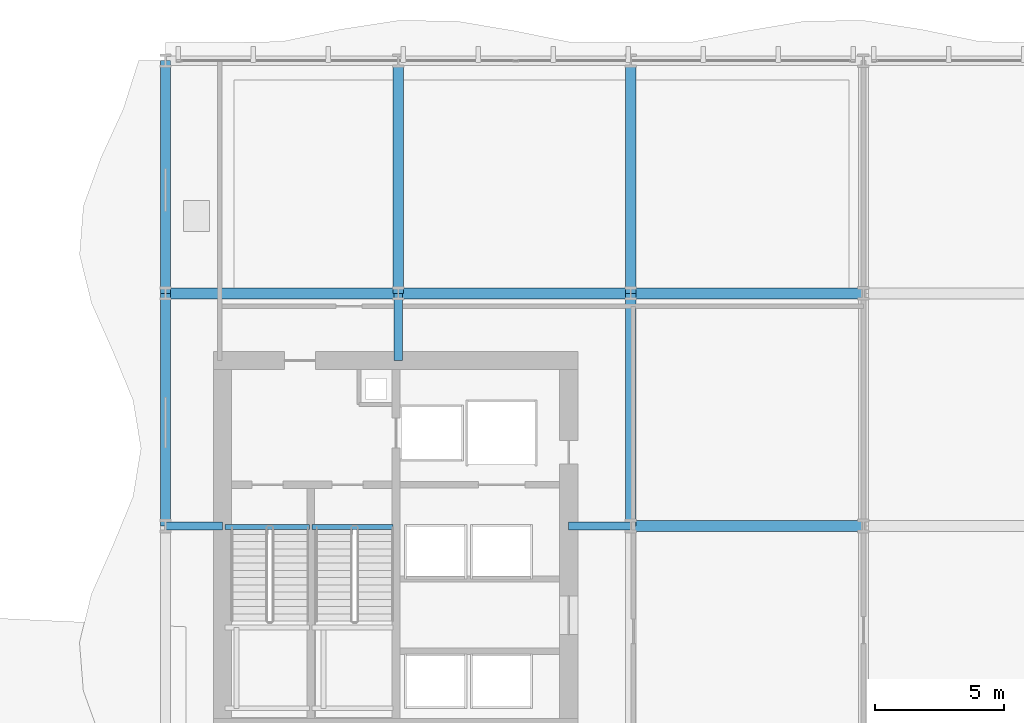
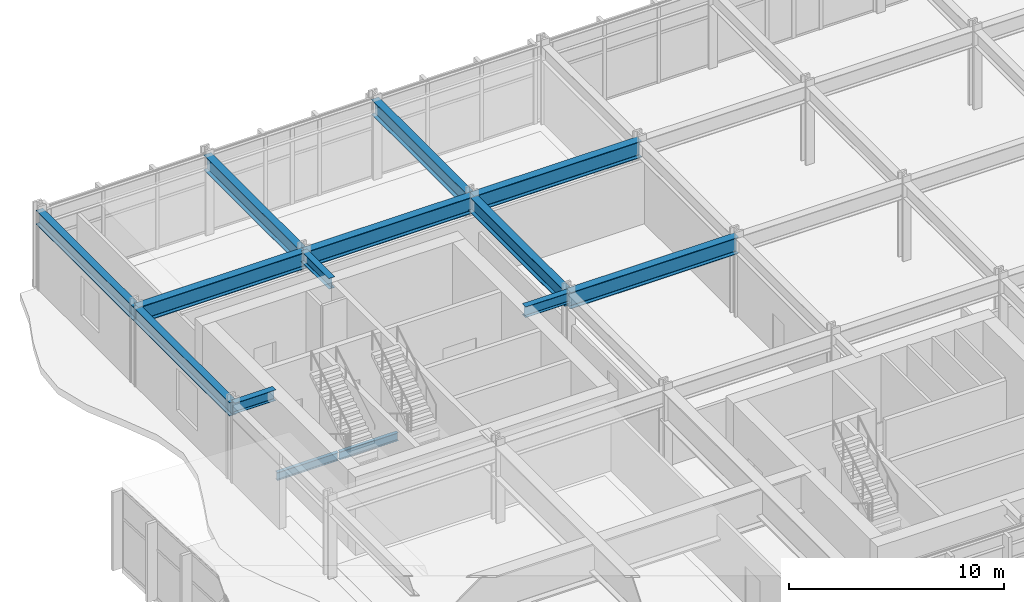
# One storey, part 14 of 31: 14 beams.
"""IFC4 building model written with IfcOpenShell, lengths in metres."""

import ifcopenshell
import ifcopenshell.guid

model = None  # the IFC model being written
_history = None  # IfcOwnerHistory: only IFC2X3 demands one
_inside = {}  # id of a spatial element -> (the spatial element, [elements in it])
_under = {}  # id of a project, library or spatial element -> (it, [spatial elements below it])
_declared = {}  # id of a project -> (the project, [libraries it declares])
_typed = {}  # id of a type object -> (the type object, [elements of that type])
_made_of = {}  # id of a material, layer set ... -> (it, [elements and type objects made of it])


def new_model(schema):
    """Start an empty IFC model of exactly this schema.

    Asked for "IFC4X3", IfcOpenShell would pick the latest addendum, in which some entities
    have other attributes; the version numbers below select the first issue.
    IFC2X3 requires an IfcOwnerHistory on every rooted entity: one is made here for all.
    """
    global model, _history
    if schema == "IFC4X3":
        model = ifcopenshell.file(schema_version=(4, 3, 0, 0))
    else:
        model = ifcopenshell.file(schema=schema)
    _inside.clear()
    _under.clear()
    _declared.clear()
    _typed.clear()
    _made_of.clear()
    _history = None
    if model.schema == "IFC2X3":
        org = make("IfcOrganization", Name="unknown")
        user = make(
            "IfcPersonAndOrganization",
            ThePerson=make("IfcPerson", FamilyName="unknown"),
            TheOrganization=org,
        )
        app = make(
            "IfcApplication",
            ApplicationDeveloper=org,
            Version="unknown",
            ApplicationFullName="unknown",
            ApplicationIdentifier="unknown",
        )
        _history = make(
            "IfcOwnerHistory",
            OwningUser=user,
            OwningApplication=app,
            ChangeAction="ADDED",
            CreationDate=0,
        )
    return model


def make(cls, **values):
    """One entity of the class cls with the attributes given. An attribute that is None is left unset."""
    return model.create_entity(
        cls, **{name: value for name, value in values.items() if value is not None}
    )


def rooted(cls, **values):
    """An entity with a GlobalId (a new one), such as an element, a storey or a relation."""
    return make(cls, GlobalId=ifcopenshell.guid.new(), OwnerHistory=_history, **values)


def si_unit(unit_type, name, prefix=None):
    """IfcSIUnit, for example si_unit("LENGTHUNIT", "METRE", prefix="MILLI")."""
    return make("IfcSIUnit", UnitType=unit_type, Prefix=prefix, Name=name)


def assignment(units):
    """IfcUnitAssignment: the units of a project."""
    return None if units is None else make("IfcUnitAssignment", Units=units)


def point(xyz):
    """IfcCartesianPoint."""
    return None if xyz is None else make("IfcCartesianPoint", Coordinates=xyz)


def direction(xyz):
    """IfcDirection."""
    return None if xyz is None else make("IfcDirection", DirectionRatios=xyz)


def frame(location, z_axis=None, x_axis=None):
    """IfcAxis2Placement3D, a coordinate frame: its origin and axes. An axis left out is left unset."""
    return make(
        "IfcAxis2Placement3D",
        Location=point(location),
        Axis=direction(z_axis),
        RefDirection=direction(x_axis),
    )


def frame_2d(location, x_axis=None):
    """IfcAxis2Placement2D, a coordinate frame in the plane: its origin and x axis."""
    return make(
        "IfcAxis2Placement2D", Location=point(location), RefDirection=direction(x_axis)
    )


def origin():
    """The frame at (0, 0, 0) with its axes left unset."""
    return frame((0.0, 0.0, 0.0))


def origin_2d():
    """The frame at (0, 0) in the plane with its x axis left unset."""
    return frame_2d((0.0, 0.0))


def place(relative_to, where):
    """IfcLocalPlacement: puts the frame where relative to a parent placement (None: the world)."""
    return make(
        "IfcLocalPlacement", PlacementRelTo=relative_to, RelativePlacement=where
    )


def context(
    kind, dimensions, precision=None, world=None, true_north=None, identifier=None
):
    """IfcGeometricRepresentationContext, for example the 3D "Model" context."""
    return make(
        "IfcGeometricRepresentationContext",
        ContextIdentifier=identifier,
        ContextType=kind,
        CoordinateSpaceDimension=dimensions,
        Precision=precision,
        WorldCoordinateSystem=world,
        TrueNorth=true_north,
    )


def subcontext(parent, identifier, kind, view, scale=None):
    """IfcGeometricRepresentationSubContext, for example "Body" below "Model"."""
    return make(
        "IfcGeometricRepresentationSubContext",
        ContextIdentifier=identifier,
        ContextType=kind,
        ParentContext=parent,
        TargetScale=scale,
        TargetView=view,
    )


def project(units=None, contexts=None):
    """IfcProject with its units and contexts."""
    return rooted(
        "IfcProject",
        Name="project",
        RepresentationContexts=contexts,
        UnitsInContext=assignment(units),
    )


def spatial(cls, under=None, at=None, **own):
    """A site, building, storey or space (cls), placed at a placement, below another one or the project."""
    s = rooted(cls, ObjectPlacement=at, **own)
    if under is not None:
        _under.setdefault(under.id(), (under, []))[1].append(s)
    return s


def profile(cls, at=None, kind="AREA", **sizes):
    """A parametric profile (cls). Its sizes go by their IFC names, for example OverallWidth=200.0."""
    return make(cls, ProfileType=kind, Position=at, **sizes)


def i_section(**sizes):
    """IfcIShapeProfileDef."""
    return profile("IfcIShapeProfileDef", **sizes)


def extrude(swept, where, along, depth):
    """IfcExtrudedAreaSolid: the profile swept, set in the frame where, extruded along a direction by depth."""
    return make(
        "IfcExtrudedAreaSolid",
        SweptArea=swept,
        Position=where,
        ExtrudedDirection=direction(along),
        Depth=depth,
    )


def shape(context_of_items, identifier, shape_type, items):
    """IfcShapeRepresentation: the items that make up one representation, for example the "Body"."""
    return make(
        "IfcShapeRepresentation",
        ContextOfItems=context_of_items,
        RepresentationIdentifier=identifier,
        RepresentationType=shape_type,
        Items=items,
    )


def material(Name=None, Category=None):
    """IfcMaterial."""
    return make("IfcMaterial", Name=Name, Category=Category)


def material_profile(
    of_material, cross_section, Name=None, Category=None, Priority=None
):
    """IfcMaterialProfile: a cross section and its material."""
    return make(
        "IfcMaterialProfile",
        Name=Name,
        Material=of_material,
        Profile=cross_section,
        Priority=Priority,
        Category=Category,
    )


def profile_set(profiles, Name=None, composite=None):
    """IfcMaterialProfileSet."""
    return make(
        "IfcMaterialProfileSet",
        Name=Name,
        MaterialProfiles=profiles,
        CompositeProfile=composite,
    )


def made_of(thing, what):
    """Note that an element or type object is made of a material, layer set ...; save() writes the relation."""
    if what is not None:
        _made_of.setdefault(what.id(), (what, []))[1].append(thing)
    return thing


def type_object(cls, material=None, **own):
    """A type object (cls), such as IfcWallType, which elements share."""
    return made_of(rooted(cls, **own), material)


def element(
    cls,
    number,
    at=None,
    inside=None,
    cuts=None,
    type_object=None,
    material=None,
    context=None,
    identifier="Body",
    shape_type=None,
    held_by="IfcProductDefinitionShape",
    body=None,
    shapes=None,
    **own,
):
    """One element of the class cls, such as IfcWall. Its Tag is "e" and its number.

    at: its placement. inside: the storey or other place that contains it. cuts: it is an
    opening in that element (IfcRelVoidsElement). A single representation is given by context,
    identifier, shape_type and body (its items); several are given by shapes. held_by: the class
    of the entity that holds the representations. save() writes the other relations.
    """
    e = rooted(cls, Tag="e%d" % number, ObjectPlacement=at, **own)
    if body is not None:
        shapes = [shape(context, identifier, shape_type, body)]
    if shapes is not None:
        e.Representation = make(held_by, Representations=shapes)
    if inside is not None:
        _inside.setdefault(inside.id(), (inside, []))[1].append(e)
    if cuts is not None:
        rooted(
            "IfcRelVoidsElement", RelatingBuildingElement=cuts, RelatedOpeningElement=e
        )
    if type_object is not None:
        _typed.setdefault(type_object.id(), (type_object, []))[1].append(e)
    return made_of(e, material)


def aggregate(whole, parts):
    """IfcRelAggregates: a whole, such as a stair, and the parts it consists of."""
    return rooted("IfcRelAggregates", RelatingObject=whole, RelatedObjects=parts)


def save(model, path):
    """Write the relations noted so far, then the file.

    IfcRelAggregates (storeys below a building ...), IfcRelContainedInSpatialStructure (elements
    in a storey), IfcRelDefinesByType, IfcRelAssociatesMaterial and IfcRelDeclares: one each for
    every whole, place, type object, material and project.
    """
    for whole, parts in _under.values():
        aggregate(whole, parts)
    for where, things in _inside.values():
        rooted(
            "IfcRelContainedInSpatialStructure",
            RelatedElements=things,
            RelatingStructure=where,
        )
    for kind, things in _typed.values():
        rooted("IfcRelDefinesByType", RelatedObjects=things, RelatingType=kind)
    for what, things in _made_of.values():
        rooted("IfcRelAssociatesMaterial", RelatedObjects=things, RelatingMaterial=what)
    for by, libraries in _declared.values():
        rooted("IfcRelDeclares", RelatingContext=by, RelatedDefinitions=libraries)
    model.write(path)


model = new_model("IFC4")

# Units and contexts
model_context = context("Model", 3, precision=1e-05, world=origin(), true_north=direction((0.0, 1.0)))
body_context = subcontext(model_context, "Body", "Model", "MODEL_VIEW")
ifc_project = project(units=[si_unit("LENGTHUNIT", "METRE"), si_unit("AREAUNIT", "SQUARE_METRE"), si_unit("VOLUMEUNIT", "CUBIC_METRE"), si_unit("PLANEANGLEUNIT", "RADIAN"), si_unit("MASSUNIT", "GRAM", prefix="KILO")], contexts=[model_context])

# Site, building, storey
site_placement = place(None, origin())
site = spatial("IfcSite", under=ifc_project, at=site_placement, CompositionType="ELEMENT")
building_placement = place(site_placement, origin())
building = spatial("IfcBuilding", under=site, at=building_placement, Name="Solvaryn Broadcast Tower", CompositionType="ELEMENT")
storey_placement = place(building_placement, frame((0.0, 0.0, 26.0)))
storey = spatial("IfcBuildingStorey", under=building, at=storey_placement, Name="L05", CompositionType="ELEMENT", Elevation=26.0)

# Beams
ifc_material_1 = material(Name="Steel ASTM A992 Grade 50", Category="steel")
ifc_material_profile_1 = material_profile(ifc_material_1, i_section(OverallWidth=0.323974609375, OverallDepth=0.611083984375, WebThickness=0.0126953125, FlangeThickness=0.01904296875, FilletRadius=0.014892578125, at=origin_2d()))
ifc_profile_set_1 = profile_set([ifc_material_profile_1], Name="Steel ASTM A992 Grade 50")
beam_type_1 = type_object("IfcBeamType", Name="BM-B1-W24X104", PredefinedType="BEAM", material=ifc_profile_set_1)
beam_1_placement = place(storey_placement, frame((9.0, 36.0, 4.134521484375), z_axis=(1.0, 0.0, 0.0), x_axis=(0.0, 1.0, 0.0)))
element("IfcBeam", 1, at=beam_1_placement, inside=storey, type_object=beam_type_1, Name="L05 Core Tie Beam CTW1", PredefinedType="BEAM", context=body_context, shape_type="SweptSolid", body=[
    extrude(i_section(OverallWidth=0.323974609375, OverallDepth=0.611083984375, WebThickness=0.0126953125, FlangeThickness=0.01904296875, FilletRadius=0.014892578125, at=origin_2d()), origin(), (0.0, 0.0, 1.0), 2.199951171875),
])
beam_2_placement = place(storey_placement, frame((24.60009765625, 36.0, 4.134521484375), z_axis=(1.0, 0.0, 0.0), x_axis=(0.0, 1.0, 0.0)))
element("IfcBeam", 2, at=beam_2_placement, inside=storey, type_object=beam_type_1, Name="L05 Core Tie Beam CTW2", PredefinedType="BEAM", context=body_context, shape_type="SweptSolid", body=[
    extrude(i_section(OverallWidth=0.323974609375, OverallDepth=0.611083984375, WebThickness=0.0126953125, FlangeThickness=0.01904296875, FilletRadius=0.014892578125, at=origin_2d()), origin(), (0.0, 0.0, 1.0), 2.39990234375),
])
beam_3_placement = place(storey_placement, frame((18.0, 42.39990234375, 4.134521484375), z_axis=(0.0, 1.0, 0.0), x_axis=(-1.0, 0.0, 0.0)))
element("IfcBeam", 3, at=beam_3_placement, inside=storey, type_object=beam_type_1, Name="L05 Core Tie Beam CTW3", PredefinedType="BEAM", context=body_context, shape_type="SweptSolid", body=[
    extrude(i_section(OverallWidth=0.323974609375, OverallDepth=0.611083984375, WebThickness=0.0126953125, FlangeThickness=0.01904296875, FilletRadius=0.014892578125, at=origin_2d()), origin(), (0.0, 0.0, 1.0), 2.60009765625),
])
ifc_material_2 = material(Name="Steel ASTM A992 Grade 50", Category="steel")
ifc_material_profile_2 = material_profile(ifc_material_2, i_section(OverallWidth=0.18994140625, OverallDepth=0.45703125, WebThickness=0.009033203125, FlangeThickness=0.014404296875, FilletRadius=0.011962890625, at=origin_2d()))
ifc_profile_set_2 = profile_set([ifc_material_profile_2], Name="Steel ASTM A992 Grade 50")
beam_type_2 = type_object("IfcBeamType", Name="BM-B4-W18X50", PredefinedType="BEAM", material=ifc_profile_set_2)
beam_4_placement = place(storey_placement, frame((11.300048828125, 35.9599609375, -0.548583984375), z_axis=(1.0, 0.0, 0.0), x_axis=(0.0, 1.0, 0.0)))
element("IfcBeam", 4, at=beam_4_placement, inside=storey, type_object=beam_type_2, Name="L05 ST1 Stair Well Trimmer Beam", PredefinedType="BEAM", context=body_context, shape_type="SweptSolid", body=[
    extrude(i_section(OverallWidth=0.18994140625, OverallDepth=0.45703125, WebThickness=0.009033203125, FlangeThickness=0.014404296875, FilletRadius=0.011962890625, at=origin_2d()), origin(), (0.0, 0.0, 1.0), 3.280029296875),
])
beam_5_placement = place(storey_placement, frame((14.659912109375, 35.9599609375, -0.548583984375), z_axis=(1.0, 0.0, 0.0), x_axis=(0.0, 1.0, 0.0)))
element("IfcBeam", 5, at=beam_5_placement, inside=storey, type_object=beam_type_2, Name="L05 ST2 Stair Well Trimmer Beam", PredefinedType="BEAM", context=body_context, shape_type="SweptSolid", body=[
    extrude(i_section(OverallWidth=0.18994140625, OverallDepth=0.45703125, WebThickness=0.009033203125, FlangeThickness=0.014404296875, FilletRadius=0.011962890625, at=origin_2d()), origin(), (0.0, 0.0, 1.0), 3.14013671875),
])
ifc_material_3 = material(Name="Steel ASTM A992 Grade 50", Category="steel")
ifc_material_profile_3 = material_profile(ifc_material_3, i_section(OverallWidth=0.41796875, OverallDepth=0.927001953125, WebThickness=0.019287109375, FlangeThickness=0.031982421875, FilletRadius=0.02392578125, at=origin_2d()))
ifc_profile_set_3 = profile_set([ifc_material_profile_3], Name="Steel ASTM A992 Grade 50")
beam_type_3 = type_object("IfcBeamType", Name="BM-G2-W36X231", PredefinedType="BEAM", material=ifc_profile_set_3)
for number, where, z_axis, x_axis, name in (
    (6, (27.0, 36.0, 3.9765625), (1.0, 0.0, 0.0), (0.0, 1.0, 0.0), "L05 Primary Beam X (27-36 @ Y=36)"),
    (7, (9.0, 45.0, 3.9765625), (1.0, 0.0, 0.0), (0.0, 1.0, 0.0), "L05 Primary Beam X (9-18 @ Y=45)"),
    (8, (18.0, 45.0, 3.9765625), (1.0, 0.0, 0.0), (0.0, 1.0, 0.0), "L05 Primary Beam X (18-27 @ Y=45)"),
    (9, (27.0, 45.0, 3.9765625), (1.0, 0.0, 0.0), (0.0, 1.0, 0.0), "L05 Primary Beam X (27-36 @ Y=45)"),
):
    element("IfcBeam", number, at=place(storey_placement, frame(where, z_axis=z_axis, x_axis=x_axis)), inside=storey, type_object=beam_type_3, Name=name, PredefinedType="BEAM", context=body_context, shape_type="SweptSolid", body=[
        extrude(i_section(OverallWidth=0.41796875, OverallDepth=0.927001953125, WebThickness=0.019287109375, FlangeThickness=0.031982421875, FilletRadius=0.02392578125, at=origin_2d()), origin(), (0.0, 0.0, 1.0), 9.0),
    ])
ifc_material_4 = material(Name="Steel ASTM A992 Grade 50", Category="steel")
ifc_material_profile_4 = material_profile(ifc_material_4, i_section(OverallWidth=0.39990234375, OverallDepth=0.85498046875, WebThickness=0.018310546875, FlangeThickness=0.029296875, FilletRadius=0.02001953125, at=origin_2d()))
ifc_profile_set_4 = profile_set([ifc_material_profile_4], Name="Steel ASTM A992 Grade 50")
beam_type_4 = type_object("IfcBeamType", Name="BM-G3-W33X201", PredefinedType="BEAM", material=ifc_profile_set_4)
for number, where, z_axis, x_axis, name in (
    (10, (18.0, 45.0, 4.012451171875), (0.0, 1.0, 0.0), (-1.0, 0.0, 0.0), "L05 Primary Beam Y (45-54 @ X=18)"),
    (11, (27.0, 36.0, 4.012451171875), (0.0, 1.0, 0.0), (-1.0, 0.0, 0.0), "L05 Primary Beam Y (36-45 @ X=27)"),
    (12, (27.0, 45.0, 4.012451171875), (0.0, 1.0, 0.0), (-1.0, 0.0, 0.0), "L05 Primary Beam Y (45-54 @ X=27)"),
):
    element("IfcBeam", number, at=place(storey_placement, frame(where, z_axis=z_axis, x_axis=x_axis)), inside=storey, type_object=beam_type_4, Name=name, PredefinedType="BEAM", context=body_context, shape_type="SweptSolid", body=[
        extrude(i_section(OverallWidth=0.39990234375, OverallDepth=0.85498046875, WebThickness=0.018310546875, FlangeThickness=0.029296875, FilletRadius=0.02001953125, at=origin_2d()), origin(), (0.0, 0.0, 1.0), 9.0),
    ])
ifc_material_5 = material(Name="Steel ASTM A992 Grade 50", Category="steel")
ifc_material_profile_5 = material_profile(ifc_material_5, i_section(OverallWidth=0.381103515625, OverallDepth=0.77294921875, WebThickness=0.0166015625, FlangeThickness=0.027099609375, FilletRadius=0.01806640625, at=origin_2d()))
ifc_profile_set_5 = profile_set([ifc_material_profile_5], Name="Steel ASTM A992 Grade 50")
beam_type_5 = type_object("IfcBeamType", Name="BM-SP1-W30X173", PredefinedType="USERDEFINED", material=ifc_profile_set_5)
for number, where, z_axis, x_axis, name in (
    (13, (9.0, 36.0, 4.053466796875), (0.0, 1.0, 0.0), (-1.0, 0.0, 0.0), "L05 Spandrel Beam Y (36-45 @ X=9)"),
    (14, (9.0, 45.0, 4.053466796875), (0.0, 1.0, 0.0), (-1.0, 0.0, 0.0), "L05 Spandrel Beam Y (45-54 @ X=9)"),
):
    element("IfcBeam", number, at=place(storey_placement, frame(where, z_axis=z_axis, x_axis=x_axis)), inside=storey, type_object=beam_type_5, Name=name, ObjectType="SPANDREL", PredefinedType="USERDEFINED", context=body_context, shape_type="SweptSolid", body=[
        extrude(i_section(OverallWidth=0.381103515625, OverallDepth=0.77294921875, WebThickness=0.0166015625, FlangeThickness=0.027099609375, FilletRadius=0.01806640625, at=origin_2d()), origin(), (0.0, 0.0, 1.0), 9.0),
    ])

save(model, "model.ifc")
